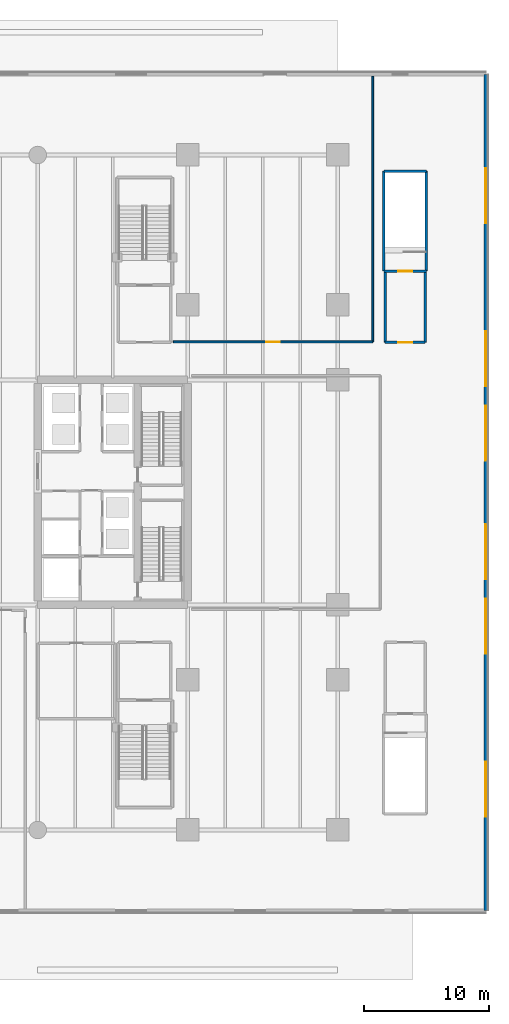
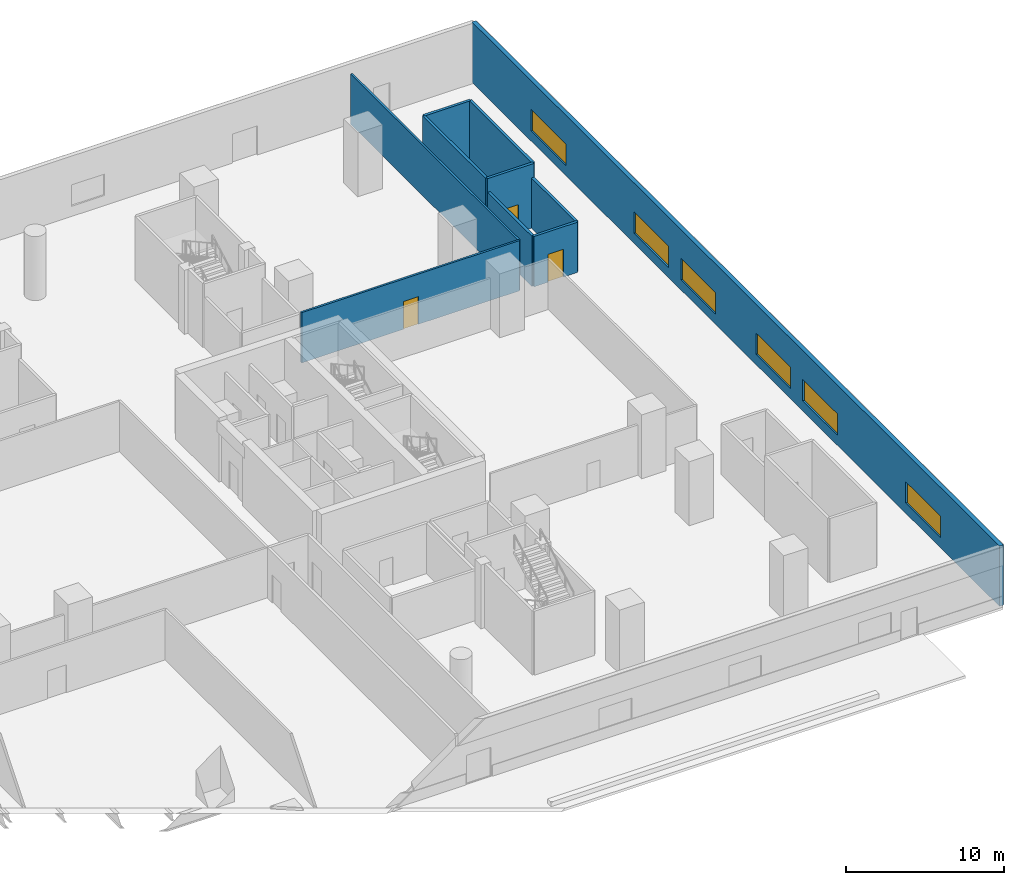
# One storey, part 10 of 25: 10 walls, 6 windows, 3 doors, 9 openings.
"""IFC4 building model written with IfcOpenShell, lengths in metres."""

from ifc_helpers import new_model, si_unit, direction, frame, frame_2d, origin, place, context, subcontext, project, spatial, rectangle, extrude, material, layer, layer_set, type_object, element, fill, save


model = new_model("IFC4")

# Units and contexts
model_context = context("Model", 3, precision=1e-05, world=origin(), true_north=direction((0.0, 1.0)))
body_context = subcontext(model_context, "Body", "Model", "MODEL_VIEW")
ifc_project = project(units=[si_unit("LENGTHUNIT", "METRE"), si_unit("AREAUNIT", "SQUARE_METRE"), si_unit("VOLUMEUNIT", "CUBIC_METRE"), si_unit("PLANEANGLEUNIT", "RADIAN"), si_unit("MASSUNIT", "GRAM", prefix="KILO")], contexts=[model_context])

# Site, building, storey
site_placement = place(None, origin())
site = spatial("IfcSite", under=ifc_project, at=site_placement, CompositionType="ELEMENT")
building_placement = place(site_placement, origin())
building = spatial("IfcBuilding", under=site, at=building_placement, Name="Tanjung Sevakor Pilgrim Tower", CompositionType="ELEMENT")
storey_placement = place(building_placement, origin())
storey = spatial("IfcBuildingStorey", under=building, at=storey_placement, Name="L01", CompositionType="ELEMENT", Elevation=0.0)

# Wall, opening, door
ifc_material_1 = material(Name="Concrete C40/50", Category="concrete")
ifc_layer_1 = layer(ifc_material_1, 0.14990234375)
ifc_layer_set_1 = layer_set([ifc_layer_1], Name="WT-COMP-150")
wall_type_1 = type_object("IfcWallType", Name="WT-COMP-150", PredefinedType="SOLIDWALL", material=ifc_layer_set_1)
wall_1_placement = place(storey_placement, frame((88.85009765625, 45.64990234375, 0.0), z_axis=(0.0, 0.0, 1.0), x_axis=(1.0, 0.0, 0.0)))
wall_1 = element("IfcWall", 1, at=wall_1_placement, inside=storey, type_object=wall_type_1, Name="L01 Partition IW-L01-079", PredefinedType="SOLIDWALL", context=body_context, shape_type="SweptSolid", body=[
    extrude(rectangle(XDim=15.949951171875, YDim=0.14990234375, at=frame_2d((7.97509765625, 0.0))), origin(), (0.0, 0.0, 1.0), 3.889892578125),
])
opening_1_placement = place(wall_1_placement, frame((7.425048828125, 0.0, 0.0)))
opening_1 = element("IfcOpeningElement", 2, at=opening_1_placement, cuts=wall_1, Name="Opening ID-RM2", PredefinedType="OPENING", context=body_context, shape_type="SweptSolid", body=[
    extrude(rectangle(XDim=1.10009765625, YDim=2.14990234375, at=frame_2d((0.550048828125, 1.074951171875))), frame((0.0, 0.0849609375, 0.0), z_axis=(0.0, -1.0, 0.0), x_axis=(1.0, 0.0, 0.0)), (0.0, 0.0, 1.0), 0.169921875),
])
ifc_material_2 = material(Name="Hardwood Timber", Category="wood")
door_type_1 = type_object("IfcDoorType", Name="DT-INT-1100", OperationType="NOTDEFINED", PredefinedType="DOOR", material=ifc_material_2)
door_1_placement = place(opening_1_placement, origin())
door_1 = element("IfcDoor", 3, at=door_1_placement, inside=storey, type_object=door_type_1, Name="L01 East Retail Corridor Door", OperationType="SINGLE_SWING_RIGHT", OverallHeight=2.14990234375, OverallWidth=1.10009765625, PredefinedType="DOOR", context=body_context, shape_type="SweptSolid", body=[
    extrude(rectangle(XDim=1.10009765625, YDim=2.14990234375, at=frame_2d((0.550048828125, 1.074951171875))), frame((0.0, 0.02490234375, 0.0), z_axis=(0.0, -1.0, 0.0), x_axis=(1.0, 0.0, 0.0)), (0.0, 0.0, 1.0), 0.050048828125),
])
fill(opening_1, door_1)

# Wall
wall_2_placement = place(storey_placement, frame((104.800048828125, 45.64990234375, 0.0), z_axis=(0.0, 0.0, 1.0), x_axis=(0.0, 1.0, 0.0)))
element("IfcWall", 4, at=wall_2_placement, inside=storey, type_object=wall_type_1, Name="L01 Partition IW-L01-080", PredefinedType="SOLIDWALL", context=body_context, shape_type="SweptSolid", body=[
    extrude(rectangle(XDim=21.25, YDim=0.14990234375, at=frame_2d((10.625, 0.0))), origin(), (0.0, 0.0, 1.0), 3.889892578125),
])

# Wall, openings, windows
ifc_material_3 = material(Name="Precast concrete C45/55", Category="concrete")
ifc_layer_2 = layer(ifc_material_3, 0.300048828125)
ifc_layer_set_2 = layer_set([ifc_layer_2], Name="WT-EW-STN1")
wall_type_2 = type_object("IfcWallType", Name="WT-EW-STN1", PredefinedType="SOLIDWALL", material=ifc_layer_set_2)
wall_3_placement = place(storey_placement, frame((113.85009765625, 0.14990234375, 0.0), z_axis=(0.0, 0.0, 1.0), x_axis=(0.0, 1.0, 0.0)))
wall_3 = element("IfcWall", 5, at=wall_3_placement, inside=storey, type_object=wall_type_2, Name="L01 MAIN Exterior Wall 2", PredefinedType="SOLIDWALL", context=body_context, shape_type="SweptSolid", body=[
    extrude(rectangle(XDim=66.900146484375, YDim=0.300048828125, at=frame_2d((33.4501953125, 0.0))), origin(), (0.0, 0.0, 1.0), 4.669921875),
])
opening_2_placement = place(wall_3_placement, frame((20.550048828125, 0.0, 0.780029296875)))
opening_2 = element("IfcOpeningElement", 6, at=opening_2_placement, cuts=wall_3, Name="Opening WN-ENDW-1660", PredefinedType="OPENING", context=body_context, shape_type="SweptSolid", body=[
    extrude(rectangle(XDim=4.39990234375, YDim=1.659912109375, at=frame_2d((2.199951171875, 0.830078125))), frame((0.0, 0.159912109375, 0.0), z_axis=(0.0, -1.0, 0.0), x_axis=(1.0, 0.0, 0.0)), (0.0, 0.0, 1.0), 0.320068359375),
])
opening_3_placement = place(wall_3_placement, frame((41.949951171875, 0.0, 0.780029296875)))
opening_3 = element("IfcOpeningElement", 7, at=opening_3_placement, cuts=wall_3, Name="Opening WN-ENDW-1660", PredefinedType="OPENING", context=body_context, shape_type="SweptSolid", body=[
    extrude(rectangle(XDim=4.39990234375, YDim=1.659912109375, at=frame_2d((2.199951171875, 0.830078125))), frame((0.0, 0.159912109375, 0.0), z_axis=(0.0, -1.0, 0.0), x_axis=(1.0, 0.0, 0.0)), (0.0, 0.0, 1.0), 0.320068359375),
])
opening_4_placement = place(wall_3_placement, frame((7.5, 0.0, 0.780029296875)))
opening_4 = element("IfcOpeningElement", 8, at=opening_4_placement, cuts=wall_3, Name="Opening WN-ENDW-1660", PredefinedType="OPENING", context=body_context, shape_type="SweptSolid", body=[
    extrude(rectangle(XDim=4.39990234375, YDim=1.659912109375, at=frame_2d((2.199951171875, 0.830078125))), frame((0.0, 0.159912109375, 0.0), z_axis=(0.0, -1.0, 0.0), x_axis=(1.0, 0.0, 0.0)), (0.0, 0.0, 1.0), 0.320068359375),
])
opening_5_placement = place(wall_3_placement, frame((26.5, 0.0, 0.780029296875)))
opening_5 = element("IfcOpeningElement", 9, at=opening_5_placement, cuts=wall_3, Name="Opening WN-ENDW-1660", PredefinedType="OPENING", context=body_context, shape_type="SweptSolid", body=[
    extrude(rectangle(XDim=4.39990234375, YDim=1.659912109375, at=frame_2d((2.199951171875, 0.830078125))), frame((0.0, 0.159912109375, 0.0), z_axis=(0.0, -1.0, 0.0), x_axis=(1.0, 0.0, 0.0)), (0.0, 0.0, 1.0), 0.320068359375),
])
opening_6_placement = place(wall_3_placement, frame((36.0, 0.0, 0.780029296875)))
opening_6 = element("IfcOpeningElement", 10, at=opening_6_placement, cuts=wall_3, Name="Opening WN-ENDW-1660", PredefinedType="OPENING", context=body_context, shape_type="SweptSolid", body=[
    extrude(rectangle(XDim=4.39990234375, YDim=1.659912109375, at=frame_2d((2.199951171875, 0.830078125))), frame((0.0, 0.159912109375, 0.0), z_axis=(0.0, -1.0, 0.0), x_axis=(1.0, 0.0, 0.0)), (0.0, 0.0, 1.0), 0.320068359375),
])
opening_7_placement = place(wall_3_placement, frame((55.0, 0.0, 0.780029296875)))
opening_7 = element("IfcOpeningElement", 11, at=opening_7_placement, cuts=wall_3, Name="Opening WN-ENDW-1660", PredefinedType="OPENING", context=body_context, shape_type="SweptSolid", body=[
    extrude(rectangle(XDim=4.39990234375, YDim=1.659912109375, at=frame_2d((2.199951171875, 0.830078125))), frame((0.0, 0.159912109375, 0.0), z_axis=(0.0, -1.0, 0.0), x_axis=(1.0, 0.0, 0.0)), (0.0, 0.0, 1.0), 0.320068359375),
])
ifc_material_4 = material(Name="Thermally Broken Aluminium and Low-E Glass", Category="aluminium")
window_type = type_object("IfcWindowType", Name="WTYP-WN-ENDW-1660", PartitioningType="DOUBLE_PANEL_VERTICAL", PredefinedType="WINDOW", material=ifc_material_4)
window_1_placement = place(opening_2_placement, origin())
window_1 = element("IfcWindow", 12, at=window_1_placement, inside=storey, type_object=window_type, Name="L01 Facade Window 01", OverallHeight=1.659912109375, OverallWidth=4.39990234375, PartitioningType="SINGLE_PANEL", PredefinedType="WINDOW", context=body_context, shape_type="SweptSolid", body=[
    extrude(rectangle(XDim=4.39990234375, YDim=1.659912109375, at=frame_2d((2.199951171875, 0.830078125))), frame((0.0, 0.030029296875, 0.0), z_axis=(0.0, -1.0, 0.0), x_axis=(1.0, 0.0, 0.0)), (0.0, 0.0, 1.0), 0.06005859375),
])
fill(opening_2, window_1)
window_2_placement = place(opening_3_placement, origin())
window_2 = element("IfcWindow", 13, at=window_2_placement, inside=storey, type_object=window_type, Name="L01 Facade Window 02", OverallHeight=1.659912109375, OverallWidth=4.39990234375, PartitioningType="SINGLE_PANEL", PredefinedType="WINDOW", context=body_context, shape_type="SweptSolid", body=[
    extrude(rectangle(XDim=4.39990234375, YDim=1.659912109375, at=frame_2d((2.199951171875, 0.830078125))), frame((0.0, 0.030029296875, 0.0), z_axis=(0.0, -1.0, 0.0), x_axis=(1.0, 0.0, 0.0)), (0.0, 0.0, 1.0), 0.06005859375),
])
fill(opening_3, window_2)
window_3_placement = place(opening_4_placement, origin())
window_3 = element("IfcWindow", 14, at=window_3_placement, inside=storey, type_object=window_type, Name="L01 Facade Window 03", OverallHeight=1.659912109375, OverallWidth=4.39990234375, PartitioningType="SINGLE_PANEL", PredefinedType="WINDOW", context=body_context, shape_type="SweptSolid", body=[
    extrude(rectangle(XDim=4.39990234375, YDim=1.659912109375, at=frame_2d((2.199951171875, 0.830078125))), frame((0.0, 0.030029296875, 0.0), z_axis=(0.0, -1.0, 0.0), x_axis=(1.0, 0.0, 0.0)), (0.0, 0.0, 1.0), 0.06005859375),
])
fill(opening_4, window_3)
window_4_placement = place(opening_5_placement, origin())
window_4 = element("IfcWindow", 15, at=window_4_placement, inside=storey, type_object=window_type, Name="L01 Facade Window 04", OverallHeight=1.659912109375, OverallWidth=4.39990234375, PartitioningType="SINGLE_PANEL", PredefinedType="WINDOW", context=body_context, shape_type="SweptSolid", body=[
    extrude(rectangle(XDim=4.39990234375, YDim=1.659912109375, at=frame_2d((2.199951171875, 0.830078125))), frame((0.0, 0.030029296875, 0.0), z_axis=(0.0, -1.0, 0.0), x_axis=(1.0, 0.0, 0.0)), (0.0, 0.0, 1.0), 0.06005859375),
])
fill(opening_5, window_4)
window_5_placement = place(opening_6_placement, origin())
window_5 = element("IfcWindow", 16, at=window_5_placement, inside=storey, type_object=window_type, Name="L01 Facade Window 05", OverallHeight=1.659912109375, OverallWidth=4.39990234375, PartitioningType="SINGLE_PANEL", PredefinedType="WINDOW", context=body_context, shape_type="SweptSolid", body=[
    extrude(rectangle(XDim=4.39990234375, YDim=1.659912109375, at=frame_2d((2.199951171875, 0.830078125))), frame((0.0, 0.030029296875, 0.0), z_axis=(0.0, -1.0, 0.0), x_axis=(1.0, 0.0, 0.0)), (0.0, 0.0, 1.0), 0.06005859375),
])
fill(opening_6, window_5)
window_6_placement = place(opening_7_placement, origin())
window_6 = element("IfcWindow", 17, at=window_6_placement, inside=storey, type_object=window_type, Name="L01 Facade Window 06", OverallHeight=1.659912109375, OverallWidth=4.39990234375, PartitioningType="SINGLE_PANEL", PredefinedType="WINDOW", context=body_context, shape_type="SweptSolid", body=[
    extrude(rectangle(XDim=4.39990234375, YDim=1.659912109375, at=frame_2d((2.199951171875, 0.830078125))), frame((0.0, 0.030029296875, 0.0), z_axis=(0.0, -1.0, 0.0), x_axis=(1.0, 0.0, 0.0)), (0.0, 0.0, 1.0), 0.06005859375),
])
fill(opening_7, window_6)

# Wall, opening, door
ifc_material_5 = material(Name="Concrete C40/50", Category="concrete")
ifc_layer_3 = layer(ifc_material_5, 0.199951171875)
ifc_layer_set_3 = layer_set([ifc_layer_3], Name="WT-FIRE-200")
wall_type_3 = type_object("IfcWallType", Name="WT-FIRE-200", PredefinedType="SOLIDWALL", material=ifc_layer_set_3)
wall_4_placement = place(storey_placement, frame((105.699951171875, 51.300048828125, 0.0), z_axis=(0.0, 0.0, 1.0), x_axis=(1.0, 0.0, 0.0)))
wall_4 = element("IfcWall", 18, at=wall_4_placement, inside=storey, type_object=wall_type_3, Name="L01 BS-4 Shaft Wall 1", PredefinedType="SOLIDWALL", context=body_context, shape_type="SweptSolid", body=[
    extrude(rectangle(XDim=3.400146484375, YDim=0.199951171875, at=frame_2d((1.7001953125, 0.0))), origin(), (0.0, 0.0, 1.0), 4.949951171875),
])
opening_8_placement = place(wall_4_placement, frame((1.125, 0.0, 0.0)))
opening_8 = element("IfcOpeningElement", 19, at=opening_8_placement, cuts=wall_4, Name="Opening ID-ST1", PredefinedType="OPENING", context=body_context, shape_type="SweptSolid", body=[
    extrude(rectangle(XDim=1.14990234375, YDim=2.14990234375, at=frame_2d((0.574951171875, 1.074951171875))), frame((0.0, 0.10986328125, 0.0), z_axis=(0.0, -1.0, 0.0), x_axis=(1.0, 0.0, 0.0)), (0.0, 0.0, 1.0), 0.219970703125),
])
ifc_material_6 = material(Name="Fire-Rated Steel S355J2", Category="steel")
door_type_2 = type_object("IfcDoorType", Name="DT-FIRE-1150", OperationType="NOTDEFINED", PredefinedType="DOOR", material=ifc_material_6)
door_2_placement = place(opening_8_placement, frame((1.14990234375, 0.0, 0.0), z_axis=(0.0, 0.0, 1.0), x_axis=(-1.0, 0.0, 0.0)))
door_2 = element("IfcDoor", 20, at=door_2_placement, inside=storey, type_object=door_type_2, Name="L01 BS-4 Stair Entry Fire Door", OperationType="SINGLE_SWING_RIGHT", OverallHeight=2.14990234375, OverallWidth=1.14990234375, PredefinedType="DOOR", context=body_context, shape_type="SweptSolid", body=[
    extrude(rectangle(XDim=1.14990234375, YDim=2.14990234375, at=frame_2d((0.574951171875, 1.074951171875))), frame((0.0, 0.02490234375, 0.0), z_axis=(0.0, -1.0, 0.0), x_axis=(1.0, 0.0, 0.0)), (0.0, 0.0, 1.0), 0.050048828125),
])
fill(opening_8, door_2)

# Walls
wall_5_placement = place(storey_placement, frame((109.10009765625, 51.300048828125, 0.0), z_axis=(0.0, 0.0, 1.0), x_axis=(0.0, 1.0, 0.0)))
element("IfcWall", 21, at=wall_5_placement, inside=storey, type_object=wall_type_3, Name="L01 BS-4 Shaft Wall 2", PredefinedType="SOLIDWALL", context=body_context, shape_type="SweptSolid", body=[
    extrude(rectangle(XDim=8.0, YDim=0.199951171875, at=frame_2d((4.0, 0.0))), origin(), (0.0, 0.0, 1.0), 4.949951171875),
])
wall_6_placement = place(storey_placement, frame((109.10009765625, 59.300048828125, 0.0), z_axis=(0.0, 0.0, 1.0), x_axis=(-1.0, 0.0, 0.0)))
element("IfcWall", 22, at=wall_6_placement, inside=storey, type_object=wall_type_3, Name="L01 BS-4 Shaft Wall 3", PredefinedType="SOLIDWALL", context=body_context, shape_type="SweptSolid", body=[
    extrude(rectangle(XDim=3.400146484375, YDim=0.199951171875, at=frame_2d((1.7001953125, 0.0))), origin(), (0.0, 0.0, 1.0), 4.949951171875),
])
wall_7_placement = place(storey_placement, frame((105.699951171875, 59.300048828125, 0.0), z_axis=(0.0, 0.0, 1.0), x_axis=(0.0, -1.0, 0.0)))
element("IfcWall", 23, at=wall_7_placement, inside=storey, type_object=wall_type_3, Name="L01 BS-4 Shaft Wall 4", PredefinedType="SOLIDWALL", context=body_context, shape_type="SweptSolid", body=[
    extrude(rectangle(XDim=8.0, YDim=0.199951171875, at=frame_2d((4.0, 0.0))), origin(), (0.0, 0.0, 1.0), 4.949951171875),
])
ifc_material_7 = material(Name="Concrete C40/50", Category="concrete")
ifc_layer_4 = layer(ifc_material_7, 0.199951171875)
ifc_layer_set_4 = layer_set([ifc_layer_4], Name="WT-FPRT-200")
wall_type_4 = type_object("IfcWallType", Name="WT-FPRT-200", PredefinedType="SOLIDWALL", material=ifc_layer_set_4)
for number, where, z_axis, x_axis, name in (
    (24, (105.800048828125, 45.60009765625, 0.0), (0.0, 0.0, 1.0), (0.0, 1.0, 0.0), "L01 Partition IW-L01-053"),
    (25, (109.0, 45.60009765625, 0.0), (0.0, 0.0, 1.0), (0.0, 1.0, 0.0), "L01 Partition IW-L01-054"),
):
    element("IfcWall", number, at=place(storey_placement, frame(where, z_axis=z_axis, x_axis=x_axis)), inside=storey, type_object=wall_type_4, Name=name, PredefinedType="SOLIDWALL", context=body_context, shape_type="SweptSolid", body=[
        extrude(rectangle(XDim=5.699951171875, YDim=0.199951171875, at=frame_2d((2.85009765625, 0.0))), origin(), (0.0, 0.0, 1.0), 3.889892578125),
    ])

# Wall, opening, door
wall_8_placement = place(storey_placement, frame((105.800048828125, 45.60009765625, 0.0), z_axis=(0.0, 0.0, 1.0), x_axis=(1.0, 0.0, 0.0)))
wall_8 = element("IfcWall", 26, at=wall_8_placement, inside=storey, type_object=wall_type_4, Name="L01 Partition IW-L01-057", PredefinedType="SOLIDWALL", context=body_context, shape_type="SweptSolid", body=[
    extrude(rectangle(XDim=3.199951171875, YDim=0.199951171875, at=frame_2d((1.60009765625, 0.0))), origin(), (0.0, 0.0, 1.0), 3.889892578125),
])
opening_9_placement = place(wall_8_placement, frame((1.02490234375, 0.0, 0.0)))
opening_9 = element("IfcOpeningElement", 27, at=opening_9_placement, cuts=wall_8, Name="Opening ID-ST1", PredefinedType="OPENING", context=body_context, shape_type="SweptSolid", body=[
    extrude(rectangle(XDim=1.14990234375, YDim=2.14990234375, at=frame_2d((0.574951171875, 1.074951171875))), frame((0.0, 0.10986328125, 0.0), z_axis=(0.0, -1.0, 0.0), x_axis=(1.0, 0.0, 0.0)), (0.0, 0.0, 1.0), 0.219970703125),
])
door_3_placement = place(opening_9_placement, frame((1.14990234375, 0.0, 0.0), z_axis=(0.0, 0.0, 1.0), x_axis=(-1.0, 0.0, 0.0)))
door_3 = element("IfcDoor", 28, at=door_3_placement, inside=storey, type_object=door_type_2, Name="L01 Stair Lobby BS4 Exit Door", OperationType="SINGLE_SWING_RIGHT", OverallHeight=2.14990234375, OverallWidth=1.14990234375, PredefinedType="DOOR", context=body_context, shape_type="SweptSolid", body=[
    extrude(rectangle(XDim=1.14990234375, YDim=2.14990234375, at=frame_2d((0.574951171875, 1.074951171875))), frame((0.0, 0.02490234375, 0.0), z_axis=(0.0, -1.0, 0.0), x_axis=(1.0, 0.0, 0.0)), (0.0, 0.0, 1.0), 0.050048828125),
])
fill(opening_9, door_3)

save(model, "model.ifc")
